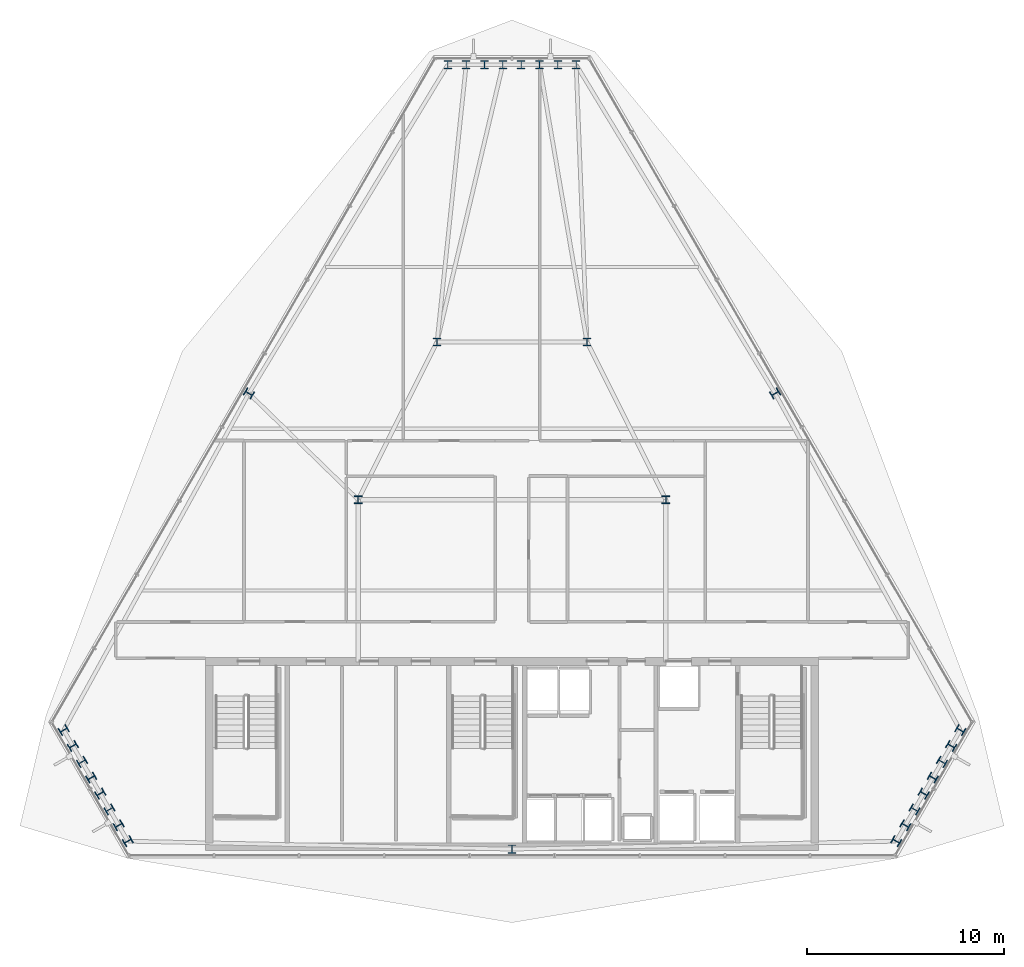
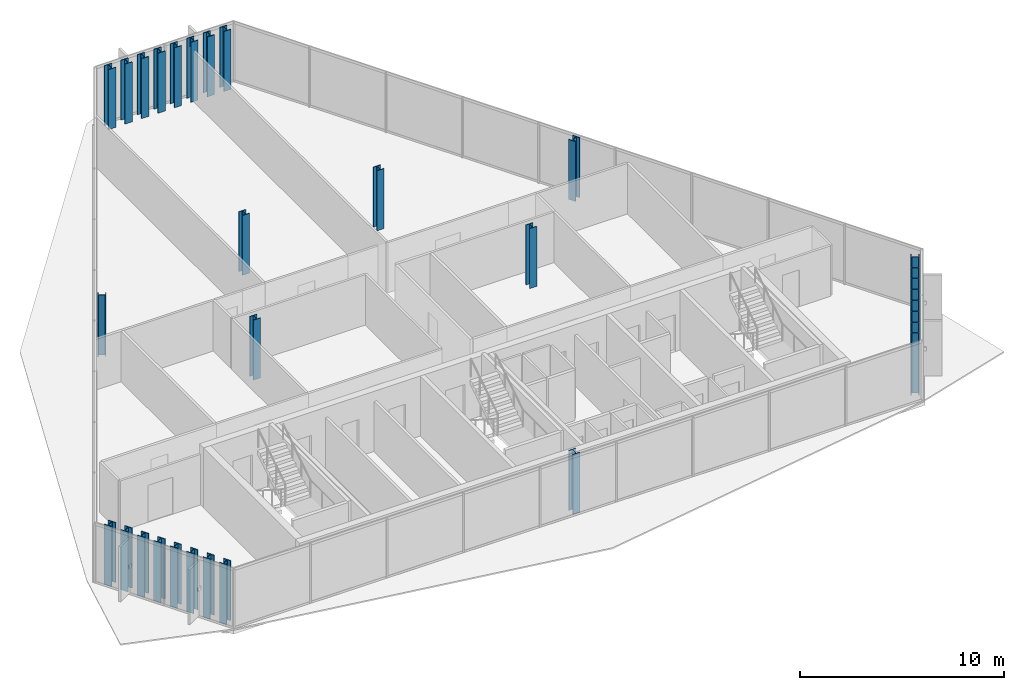
# One storey, part 1 of 37: 31 columns.
"""IFC4 building model written with IfcOpenShell, lengths in metres."""

import ifcopenshell
import ifcopenshell.guid

model = None  # the IFC model being written
_history = None  # IfcOwnerHistory: only IFC2X3 demands one
_inside = {}  # id of a spatial element -> (the spatial element, [elements in it])
_under = {}  # id of a project, library or spatial element -> (it, [spatial elements below it])
_declared = {}  # id of a project -> (the project, [libraries it declares])
_typed = {}  # id of a type object -> (the type object, [elements of that type])
_made_of = {}  # id of a material, layer set ... -> (it, [elements and type objects made of it])


def new_model(schema):
    """Start an empty IFC model of exactly this schema.

    Asked for "IFC4X3", IfcOpenShell would pick the latest addendum, in which some entities
    have other attributes; the version numbers below select the first issue.
    IFC2X3 requires an IfcOwnerHistory on every rooted entity: one is made here for all.
    """
    global model, _history
    if schema == "IFC4X3":
        model = ifcopenshell.file(schema_version=(4, 3, 0, 0))
    else:
        model = ifcopenshell.file(schema=schema)
    _inside.clear()
    _under.clear()
    _declared.clear()
    _typed.clear()
    _made_of.clear()
    _history = None
    if model.schema == "IFC2X3":
        org = make("IfcOrganization", Name="unknown")
        user = make(
            "IfcPersonAndOrganization",
            ThePerson=make("IfcPerson", FamilyName="unknown"),
            TheOrganization=org,
        )
        app = make(
            "IfcApplication",
            ApplicationDeveloper=org,
            Version="unknown",
            ApplicationFullName="unknown",
            ApplicationIdentifier="unknown",
        )
        _history = make(
            "IfcOwnerHistory",
            OwningUser=user,
            OwningApplication=app,
            ChangeAction="ADDED",
            CreationDate=0,
        )
    return model


def make(cls, **values):
    """One entity of the class cls with the attributes given. An attribute that is None is left unset."""
    return model.create_entity(
        cls, **{name: value for name, value in values.items() if value is not None}
    )


def rooted(cls, **values):
    """An entity with a GlobalId (a new one), such as an element, a storey or a relation."""
    return make(cls, GlobalId=ifcopenshell.guid.new(), OwnerHistory=_history, **values)


def si_unit(unit_type, name, prefix=None):
    """IfcSIUnit, for example si_unit("LENGTHUNIT", "METRE", prefix="MILLI")."""
    return make("IfcSIUnit", UnitType=unit_type, Prefix=prefix, Name=name)


def assignment(units):
    """IfcUnitAssignment: the units of a project."""
    return None if units is None else make("IfcUnitAssignment", Units=units)


def point(xyz):
    """IfcCartesianPoint."""
    return None if xyz is None else make("IfcCartesianPoint", Coordinates=xyz)


def direction(xyz):
    """IfcDirection."""
    return None if xyz is None else make("IfcDirection", DirectionRatios=xyz)


def frame(location, z_axis=None, x_axis=None):
    """IfcAxis2Placement3D, a coordinate frame: its origin and axes. An axis left out is left unset."""
    return make(
        "IfcAxis2Placement3D",
        Location=point(location),
        Axis=direction(z_axis),
        RefDirection=direction(x_axis),
    )


def frame_2d(location, x_axis=None):
    """IfcAxis2Placement2D, a coordinate frame in the plane: its origin and x axis."""
    return make(
        "IfcAxis2Placement2D", Location=point(location), RefDirection=direction(x_axis)
    )


def origin():
    """The frame at (0, 0, 0) with its axes left unset."""
    return frame((0.0, 0.0, 0.0))


def origin_2d():
    """The frame at (0, 0) in the plane with its x axis left unset."""
    return frame_2d((0.0, 0.0))


def place(relative_to, where):
    """IfcLocalPlacement: puts the frame where relative to a parent placement (None: the world)."""
    return make(
        "IfcLocalPlacement", PlacementRelTo=relative_to, RelativePlacement=where
    )


def context(
    kind, dimensions, precision=None, world=None, true_north=None, identifier=None
):
    """IfcGeometricRepresentationContext, for example the 3D "Model" context."""
    return make(
        "IfcGeometricRepresentationContext",
        ContextIdentifier=identifier,
        ContextType=kind,
        CoordinateSpaceDimension=dimensions,
        Precision=precision,
        WorldCoordinateSystem=world,
        TrueNorth=true_north,
    )


def subcontext(parent, identifier, kind, view, scale=None):
    """IfcGeometricRepresentationSubContext, for example "Body" below "Model"."""
    return make(
        "IfcGeometricRepresentationSubContext",
        ContextIdentifier=identifier,
        ContextType=kind,
        ParentContext=parent,
        TargetScale=scale,
        TargetView=view,
    )


def project(units=None, contexts=None):
    """IfcProject with its units and contexts."""
    return rooted(
        "IfcProject",
        Name="project",
        RepresentationContexts=contexts,
        UnitsInContext=assignment(units),
    )


def spatial(cls, under=None, at=None, **own):
    """A site, building, storey or space (cls), placed at a placement, below another one or the project."""
    s = rooted(cls, ObjectPlacement=at, **own)
    if under is not None:
        _under.setdefault(under.id(), (under, []))[1].append(s)
    return s


def profile(cls, at=None, kind="AREA", **sizes):
    """A parametric profile (cls). Its sizes go by their IFC names, for example OverallWidth=200.0."""
    return make(cls, ProfileType=kind, Position=at, **sizes)


def i_section(**sizes):
    """IfcIShapeProfileDef."""
    return profile("IfcIShapeProfileDef", **sizes)


def extrude(swept, where, along, depth):
    """IfcExtrudedAreaSolid: the profile swept, set in the frame where, extruded along a direction by depth."""
    return make(
        "IfcExtrudedAreaSolid",
        SweptArea=swept,
        Position=where,
        ExtrudedDirection=direction(along),
        Depth=depth,
    )


def shape(context_of_items, identifier, shape_type, items):
    """IfcShapeRepresentation: the items that make up one representation, for example the "Body"."""
    return make(
        "IfcShapeRepresentation",
        ContextOfItems=context_of_items,
        RepresentationIdentifier=identifier,
        RepresentationType=shape_type,
        Items=items,
    )


def material(Name=None, Category=None):
    """IfcMaterial."""
    return make("IfcMaterial", Name=Name, Category=Category)


def material_profile(
    of_material, cross_section, Name=None, Category=None, Priority=None
):
    """IfcMaterialProfile: a cross section and its material."""
    return make(
        "IfcMaterialProfile",
        Name=Name,
        Material=of_material,
        Profile=cross_section,
        Priority=Priority,
        Category=Category,
    )


def profile_set(profiles, Name=None, composite=None):
    """IfcMaterialProfileSet."""
    return make(
        "IfcMaterialProfileSet",
        Name=Name,
        MaterialProfiles=profiles,
        CompositeProfile=composite,
    )


def made_of(thing, what):
    """Note that an element or type object is made of a material, layer set ...; save() writes the relation."""
    if what is not None:
        _made_of.setdefault(what.id(), (what, []))[1].append(thing)
    return thing


def type_object(cls, material=None, **own):
    """A type object (cls), such as IfcWallType, which elements share."""
    return made_of(rooted(cls, **own), material)


def element(
    cls,
    number,
    at=None,
    inside=None,
    cuts=None,
    type_object=None,
    material=None,
    context=None,
    identifier="Body",
    shape_type=None,
    held_by="IfcProductDefinitionShape",
    body=None,
    shapes=None,
    **own,
):
    """One element of the class cls, such as IfcWall. Its Tag is "e" and its number.

    at: its placement. inside: the storey or other place that contains it. cuts: it is an
    opening in that element (IfcRelVoidsElement). A single representation is given by context,
    identifier, shape_type and body (its items); several are given by shapes. held_by: the class
    of the entity that holds the representations. save() writes the other relations.
    """
    e = rooted(cls, Tag="e%d" % number, ObjectPlacement=at, **own)
    if body is not None:
        shapes = [shape(context, identifier, shape_type, body)]
    if shapes is not None:
        e.Representation = make(held_by, Representations=shapes)
    if inside is not None:
        _inside.setdefault(inside.id(), (inside, []))[1].append(e)
    if cuts is not None:
        rooted(
            "IfcRelVoidsElement", RelatingBuildingElement=cuts, RelatedOpeningElement=e
        )
    if type_object is not None:
        _typed.setdefault(type_object.id(), (type_object, []))[1].append(e)
    return made_of(e, material)


def aggregate(whole, parts):
    """IfcRelAggregates: a whole, such as a stair, and the parts it consists of."""
    return rooted("IfcRelAggregates", RelatingObject=whole, RelatedObjects=parts)


def save(model, path):
    """Write the relations noted so far, then the file.

    IfcRelAggregates (storeys below a building ...), IfcRelContainedInSpatialStructure (elements
    in a storey), IfcRelDefinesByType, IfcRelAssociatesMaterial and IfcRelDeclares: one each for
    every whole, place, type object, material and project.
    """
    for whole, parts in _under.values():
        aggregate(whole, parts)
    for where, things in _inside.values():
        rooted(
            "IfcRelContainedInSpatialStructure",
            RelatedElements=things,
            RelatingStructure=where,
        )
    for kind, things in _typed.values():
        rooted("IfcRelDefinesByType", RelatedObjects=things, RelatingType=kind)
    for what, things in _made_of.values():
        rooted("IfcRelAssociatesMaterial", RelatedObjects=things, RelatingMaterial=what)
    for by, libraries in _declared.values():
        rooted("IfcRelDeclares", RelatingContext=by, RelatedDefinitions=libraries)
    model.write(path)


model = new_model("IFC4")

# Units and contexts
model_context = context("Model", 3, precision=1e-05, world=origin(), true_north=direction((0.0, 1.0)))
body_context = subcontext(model_context, "Body", "Model", "MODEL_VIEW")
ifc_project = project(units=[si_unit("LENGTHUNIT", "METRE"), si_unit("AREAUNIT", "SQUARE_METRE"), si_unit("VOLUMEUNIT", "CUBIC_METRE"), si_unit("PLANEANGLEUNIT", "RADIAN"), si_unit("MASSUNIT", "GRAM", prefix="KILO")], contexts=[model_context])

# Site, building, storey
site_placement = place(None, origin())
site = spatial("IfcSite", under=ifc_project, at=site_placement, CompositionType="ELEMENT")
building_placement = place(site_placement, origin())
building = spatial("IfcBuilding", under=site, at=building_placement, Name="Ndaravel Arena Tower", CompositionType="ELEMENT")
storey_placement = place(building_placement, frame((0.0, 0.0, 218.0)))
storey = spatial("IfcBuildingStorey", under=building, at=storey_placement, Name="L52", CompositionType="ELEMENT", Elevation=218.0)

# Columns
ifc_material_1 = material(Name="Steel S355", Category="steel")
ifc_material_profile_1 = material_profile(ifc_material_1, i_section(OverallWidth=0.39892578125, OverallDepth=0.3935546875, WebThickness=0.022705078125, FlangeThickness=0.03662109375, FilletRadius=0.01513671875, at=origin_2d()), Name="UC 356x406x287")
ifc_profile_set_1 = profile_set([ifc_material_profile_1], Name="Steel S355")
column_type_1 = type_object("IfcColumnType", Name="COL-INT-UC287", PredefinedType="COLUMN", material=ifc_profile_set_1)
for number, where, z_axis, x_axis, name in (
    (1, (34.199951171875, 23.199951171875, 0.0), (0.0, 0.0, 1.0), (1.0, 0.0, 0.0), "L52 Interior Spine Column IC-01"),
    (2, (49.800048828125, 23.199951171875, 0.0), (0.0, 0.0, 1.0), (1.0, 0.0, 0.0), "L52 Interior Spine Column IC-02"),
    (3, (38.199951171875, 31.199951171875, 0.0), (0.0, 0.0, 1.0), (1.0, 0.0, 0.0), "L52 Interior Spine Column IC-03"),
    (4, (45.800048828125, 31.199951171875, 0.0), (0.0, 0.0, 1.0), (1.0, 0.0, 0.0), "L52 Interior Spine Column IC-04"),
):
    element("IfcColumn", number, at=place(storey_placement, frame(where, z_axis=z_axis, x_axis=x_axis)), inside=storey, type_object=column_type_1, Name=name, PredefinedType="COLUMN", context=body_context, shape_type="SweptSolid", body=[
        extrude(i_section(OverallWidth=0.39892578125, OverallDepth=0.3935546875, WebThickness=0.022705078125, FlangeThickness=0.03662109375, FilletRadius=0.01513671875, at=origin_2d()), origin(), (0.0, 0.0, 1.0), 3.580078125),
    ])
ifc_material_2 = material(Name="Steel S355", Category="steel")
ifc_material_profile_2 = material_profile(ifc_material_2, i_section(OverallWidth=0.412109375, OverallDepth=0.43505859375, WebThickness=0.035888671875, FlangeThickness=0.0439453125, FilletRadius=0.014892578125, at=origin_2d()), Name="HD 400x463")
ifc_profile_set_2 = profile_set([ifc_material_profile_2], Name="Steel S355")
column_type_2 = type_object("IfcColumnType", Name="COL-TUBE-HD463", PredefinedType="COLUMN", material=ifc_profile_set_2)
for number, where, z_axis, x_axis, name in (
    (5, (42.0, 5.47998046875, 0.0), (0.0, 0.0, 1.0), (1.0, 0.0, 0.0), "L52 Framed Tube Column TC-01"),
    (6, (61.48095703125, 5.88232421875, 0.0), (0.0, 0.0, 1.0), (0.5, 0.866025403784, 0.0), "L52 Framed Tube Column TC-02"),
    (7, (61.945556640625, 6.687255859375, 0.0), (0.0, 0.0, 1.0), (0.5, 0.866025403784, 0.0), "L52 Framed Tube Column TC-03"),
    (8, (62.41015625, 7.491943359375, 0.0), (0.0, 0.0, 1.0), (0.5, 0.866025403784, 0.0), "L52 Framed Tube Column TC-04"),
    (9, (62.874755859375, 8.296630859375, 0.0), (0.0, 0.0, 1.0), (0.5, 0.866025403784, 0.0), "L52 Framed Tube Column TC-05"),
    (10, (63.33935546875, 9.1015625, 0.0), (0.0, 0.0, 1.0), (0.5, 0.866025403784, 0.0), "L52 Framed Tube Column TC-06"),
    (11, (63.803955078125, 9.90625, 0.0), (0.0, 0.0, 1.0), (0.5, 0.866025403784, 0.0), "L52 Framed Tube Column TC-07"),
    (12, (64.268798828125, 10.7109375, 0.0), (0.0, 0.0, 1.0), (0.5, 0.866025403784, 0.0), "L52 Framed Tube Column TC-08"),
    (13, (64.7333984375, 11.515869140625, 0.0), (0.0, 0.0, 1.0), (0.5, 0.866025403784, 0.0), "L52 Framed Tube Column TC-09"),
    (14, (55.34130859375, 28.587890625, 0.0), (0.0, 0.0, 1.0), (-0.5, 0.866025403784, 0.0), "L52 Framed Tube Column TC-10"),
    (15, (45.25244140625, 45.2578125, 0.0), (0.0, 0.0, 1.0), (1.0, 0.0, 0.0), "L52 Framed Tube Column TC-11"),
    (16, (44.3232421875, 45.2578125, 0.0), (0.0, 0.0, 1.0), (1.0, 0.0, 0.0), "L52 Framed Tube Column TC-12"),
    (17, (43.393798828125, 45.2578125, 0.0), (0.0, 0.0, 1.0), (1.0, 0.0, 0.0), "L52 Framed Tube Column TC-13"),
    (18, (42.464599609375, 45.2578125, 0.0), (0.0, 0.0, 1.0), (1.0, 0.0, 0.0), "L52 Framed Tube Column TC-14"),
    (19, (41.535400390625, 45.2578125, 0.0), (0.0, 0.0, 1.0), (1.0, 0.0, 0.0), "L52 Framed Tube Column TC-15"),
    (20, (40.606201171875, 45.2578125, 0.0), (0.0, 0.0, 1.0), (1.0, 0.0, 0.0), "L52 Framed Tube Column TC-16"),
    (21, (39.6767578125, 45.2578125, 0.0), (0.0, 0.0, 1.0), (1.0, 0.0, 0.0), "L52 Framed Tube Column TC-17"),
    (22, (38.74755859375, 45.2578125, 0.0), (0.0, 0.0, 1.0), (1.0, 0.0, 0.0), "L52 Framed Tube Column TC-18"),
    (23, (28.65869140625, 28.587890625, 0.0), (0.0, 0.0, 1.0), (0.5, 0.866025403784, 0.0), "L52 Framed Tube Column TC-19"),
    (24, (19.2666015625, 11.515869140625, 0.0), (0.0, 0.0, 1.0), (-0.5, 0.866025403784, 0.0), "L52 Framed Tube Column TC-20"),
    (25, (19.731201171875, 10.7109375, 0.0), (0.0, 0.0, 1.0), (-0.5, 0.866025403784, 0.0), "L52 Framed Tube Column TC-21"),
    (26, (20.196044921875, 9.90625, 0.0), (0.0, 0.0, 1.0), (-0.5, 0.866025403784, 0.0), "L52 Framed Tube Column TC-22"),
    (27, (20.66064453125, 9.1015625, 0.0), (0.0, 0.0, 1.0), (-0.5, 0.866025403784, 0.0), "L52 Framed Tube Column TC-23"),
    (28, (21.125244140625, 8.296630859375, 0.0), (0.0, 0.0, 1.0), (-0.5, 0.866025403784, 0.0), "L52 Framed Tube Column TC-24"),
    (29, (21.58984375, 7.491943359375, 0.0), (0.0, 0.0, 1.0), (-0.5, 0.866025403784, 0.0), "L52 Framed Tube Column TC-25"),
    (30, (22.054443359375, 6.687255859375, 0.0), (0.0, 0.0, 1.0), (-0.5, 0.866025403784, 0.0), "L52 Framed Tube Column TC-26"),
    (31, (22.51904296875, 5.88232421875, 0.0), (0.0, 0.0, 1.0), (-0.5, 0.866025403784, 0.0), "L52 Framed Tube Column TC-27"),
):
    element("IfcColumn", number, at=place(storey_placement, frame(where, z_axis=z_axis, x_axis=x_axis)), inside=storey, type_object=column_type_2, Name=name, PredefinedType="COLUMN", context=body_context, shape_type="SweptSolid", body=[
        extrude(i_section(OverallWidth=0.412109375, OverallDepth=0.43505859375, WebThickness=0.035888671875, FlangeThickness=0.0439453125, FilletRadius=0.014892578125, at=origin_2d()), origin(), (0.0, 0.0, 1.0), 3.580078125),
    ])

save(model, "model.ifc")
